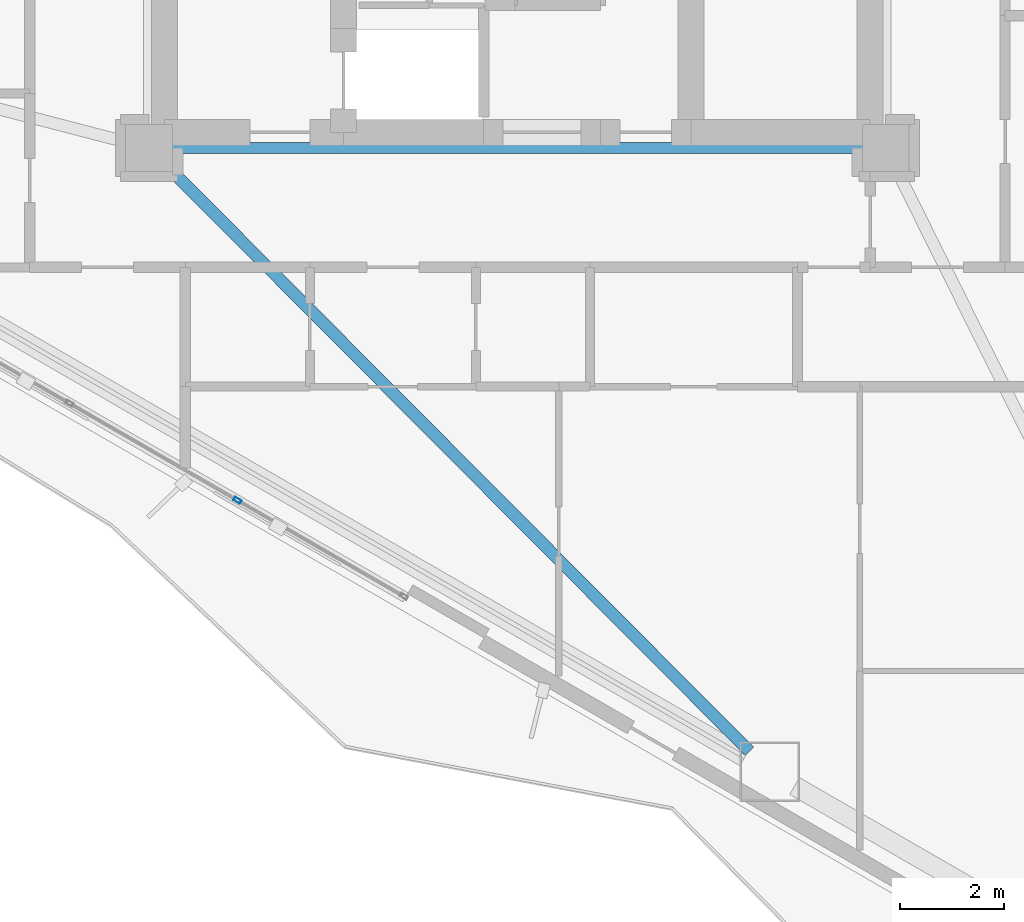
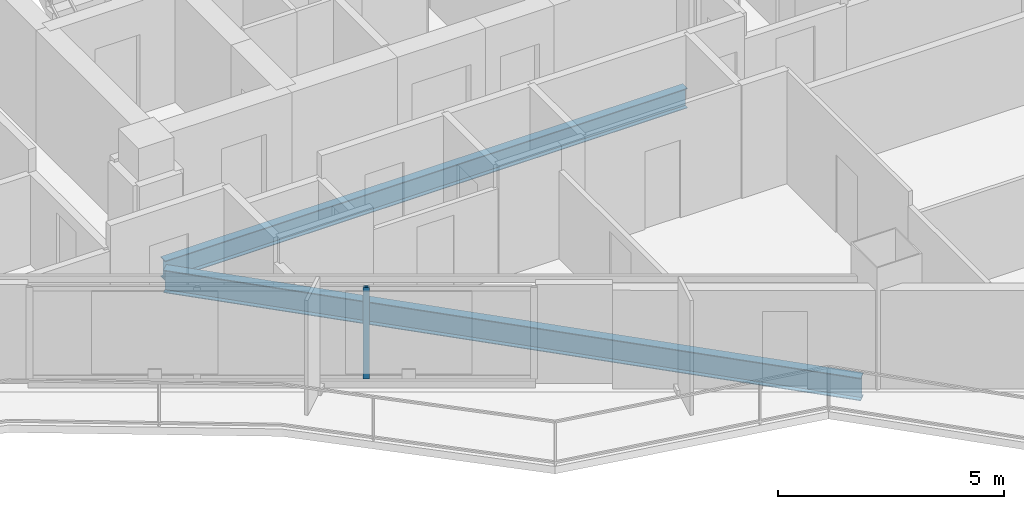
# One storey, part 4 of 22: 2 beams, 1 member, 1 element without a shape of its own.
"""IFC4 building model written with IfcOpenShell, lengths in metres."""

from ifc_helpers import new_model, si_unit, direction, frame, origin, origin_2d, place, context, subcontext, project, spatial, hollow_rectangle, i_section, extrude, material, layer, layer_set, material_profile, profile_set, type_object, element, aggregate, save


model = new_model("IFC4")

# Units and contexts
model_context = context("Model", 3, precision=1e-05, world=origin(), true_north=direction((0.0, 1.0)))
body_context = subcontext(model_context, "Body", "Model", "MODEL_VIEW")
ifc_project = project(units=[si_unit("LENGTHUNIT", "METRE"), si_unit("AREAUNIT", "SQUARE_METRE"), si_unit("VOLUMEUNIT", "CUBIC_METRE"), si_unit("PLANEANGLEUNIT", "RADIAN"), si_unit("MASSUNIT", "GRAM", prefix="KILO")], contexts=[model_context])

# Site, building, storey
site_placement = place(None, origin())
site = spatial("IfcSite", under=ifc_project, at=site_placement, CompositionType="ELEMENT")
building_placement = place(site_placement, origin())
building = spatial("IfcBuilding", under=site, at=building_placement, Name="Mersakhor Tower and Convention Hall", CompositionType="ELEMENT")
storey_placement = place(building_placement, frame((0.0, 0.0, 83.39990234375)))
storey = spatial("IfcBuildingStorey", under=building, at=storey_placement, Name="L22", CompositionType="ELEMENT", Elevation=83.39990234375)

# Beams
ifc_material_1 = material(Name="Steel S355", Category="steel")
ifc_material_profile_1 = material_profile(ifc_material_1, i_section(OverallWidth=0.2099609375, OverallDepth=0.53662109375, WebThickness=0.0107421875, FlangeThickness=0.017333984375, at=origin_2d()), Name="UB 533x210x101")
ifc_profile_set_1 = profile_set([ifc_material_profile_1], Name="Steel S355")
beam_type_1 = type_object("IfcBeamType", Name="BM-FB-533", PredefinedType="BEAM", material=ifc_profile_set_1)
beam_1_placement = place(storey_placement, frame((35.669921875, 20.449951171875, -0.518310546875), z_axis=(-1.0, 0.0, 0.0), x_axis=(0.0, -1.0, 0.0)))
element("IfcBeam", 1, at=beam_1_placement, inside=storey, type_object=beam_type_1, Name="L22 Core Ring Tie Beam CRB-4", PredefinedType="BEAM", context=body_context, shape_type="SweptSolid", body=[
    extrude(i_section(OverallWidth=0.2099609375, OverallDepth=0.53662109375, WebThickness=0.0107421875, FlangeThickness=0.017333984375, at=origin_2d()), origin(), (0.0, 0.0, 1.0), 13.33984375),
])
ifc_material_2 = material(Name="Steel S355", Category="steel")
ifc_material_profile_2 = material_profile(ifc_material_2, i_section(OverallWidth=0.22900390625, OverallDepth=0.6123046875, WebThickness=0.011962890625, FlangeThickness=0.01953125, at=origin_2d()), Name="UB 610x229x125")
ifc_profile_set_2 = profile_set([ifc_material_profile_2], Name="Steel S355")
beam_type_2 = type_object("IfcBeamType", Name="BM-PR-610", PredefinedType="BEAM", material=ifc_profile_set_2)
beam_2_placement = place(storey_placement, frame((22.203369140625, 20.145263671875, -0.555908203125), z_axis=(0.705400603107, -0.708808852327, 0.0), x_axis=(0.708808852327, 0.705400603107, 0.0)))
element("IfcBeam", 2, at=beam_2_placement, inside=storey, type_object=beam_type_2, Name="L22 Primary Floor Girder FG-5", PredefinedType="BEAM", context=body_context, shape_type="SweptSolid", body=[
    extrude(i_section(OverallWidth=0.22900390625, OverallDepth=0.6123046875, WebThickness=0.011962890625, FlangeThickness=0.01953125, at=origin_2d()), origin(), (0.0, 0.0, 1.0), 15.973876953125),
])

# Curtain wall, member
ifc_material_3 = material(Name="Dark solar low-E aluminium curtain wall", Category="aluminium")
ifc_layer = layer(ifc_material_3, 0.159912109375)
ifc_layer_set = layer_set([ifc_layer], Name="Dark solar low-E aluminium curtain wall")
curtain_wall_type = type_object("IfcCurtainWallType", Name="CW-SYS-01", PredefinedType="USERDEFINED", material=ifc_layer_set)
curtain_wall_placement = place(storey_placement, origin())
curtain_wall = element("IfcCurtainWall", 3, at=curtain_wall_placement, inside=storey, type_object=curtain_wall_type, Name="L22 Dark-Glass Curtain Wall F3-B2", ObjectType="CURTAIN WALL", PredefinedType="USERDEFINED")
ifc_material_4 = material(Name="Anodised aluminium EN AW-6063 T6", Category="aluminium")
ifc_material_profile_3 = material_profile(ifc_material_4, hollow_rectangle(XDim=0.074951171875, YDim=0.14990234375, WallThickness=0.00634765625, at=origin_2d()), Name="RHS 150x75x6.3")
ifc_profile_set_3 = profile_set([ifc_material_profile_3], Name="Anodised aluminium EN AW-6063 T6")
member_type = type_object("IfcMemberType", Name="CWM-150x75", PredefinedType="MULLION", material=ifc_profile_set_3)
member_placement = place(storey_placement, frame((23.603515625, 13.659912109375, 0.2001953125), z_axis=(0.0, 0.0, 1.0), x_axis=(-0.499997904985, -0.866026613339, 0.0)))
member = element("IfcMember", 4, at=member_placement, type_object=member_type, Name="CW-01 mullion 2", PredefinedType="MULLION", context=body_context, shape_type="SweptSolid", body=[
    extrude(hollow_rectangle(XDim=0.074951171875, YDim=0.14990234375, WallThickness=0.00634765625, at=origin_2d()), origin(), (0.0, 0.0, 1.0), 2.469970703125),
])
aggregate(curtain_wall, [member])

save(model, "model.ifc")
